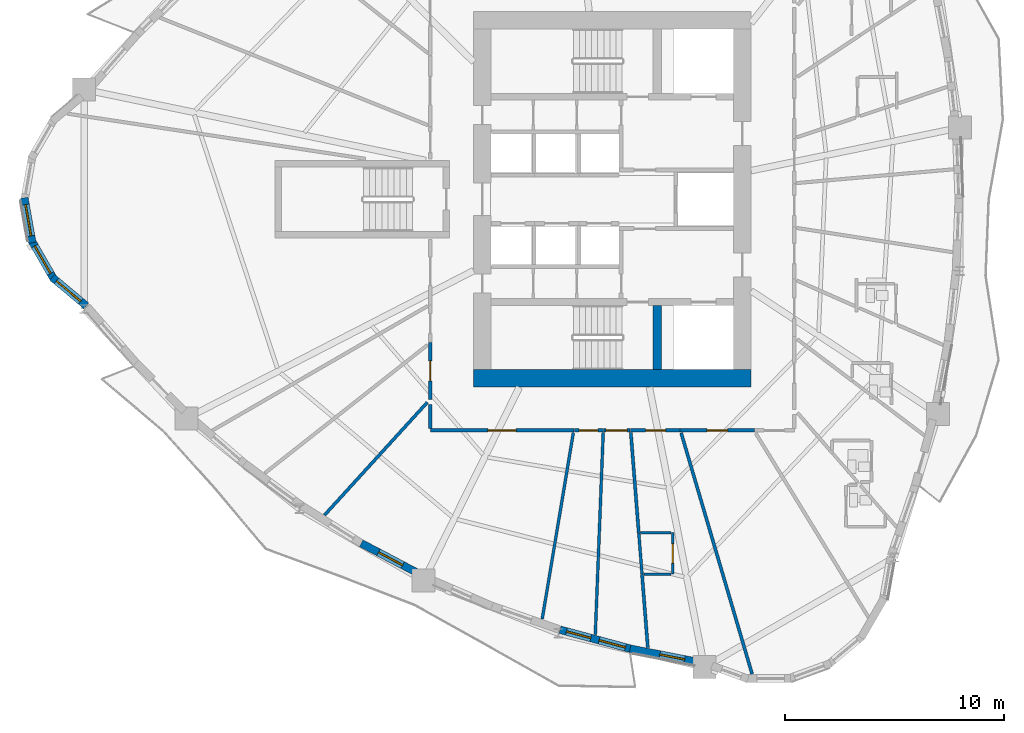
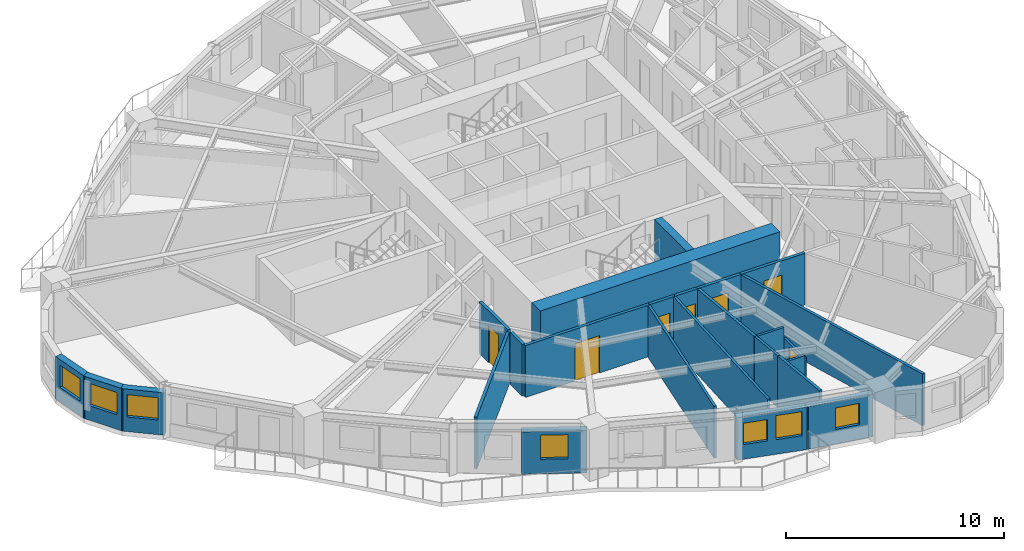
# One storey, part 3 of 13: 25 walls, 7 doors, 7 windows, 14 openings.
"""IFC4 building model written with IfcOpenShell, lengths in metres."""

from ifc_helpers import new_model, si_unit, direction, frame, frame_2d, origin, place, context, subcontext, project, spatial, rectangle, extrude, source, transform, mapped, material, layer, layer_set, type_object, element, fill, save


model = new_model("IFC4")

# Units and contexts
model_context = context("Model", 3, precision=1e-05, world=origin(), true_north=direction((0.0, 1.0)))
body_context = subcontext(model_context, "Body", "Model", "MODEL_VIEW")
ifc_project = project(units=[si_unit("LENGTHUNIT", "METRE"), si_unit("AREAUNIT", "SQUARE_METRE"), si_unit("VOLUMEUNIT", "CUBIC_METRE"), si_unit("PLANEANGLEUNIT", "RADIAN"), si_unit("MASSUNIT", "GRAM", prefix="KILO")], contexts=[model_context])

# Site, building, storey
site_placement = place(None, origin())
site = spatial("IfcSite", under=ifc_project, at=site_placement, CompositionType="ELEMENT")
building_placement = place(site_placement, origin())
building = spatial("IfcBuilding", under=site, at=building_placement, Name="Qafzar Sky-Pleat Residences", CompositionType="ELEMENT")
storey_placement = place(building_placement, frame((0.0, 0.0, 62.199951171875)))
storey = spatial("IfcBuildingStorey", under=building, at=storey_placement, Name="L18", CompositionType="ELEMENT", Elevation=62.199951171875)

# Wall, opening, door
ifc_material_1 = material(Name="Acoustic gypsum plasterboard partition", Category="gypsum")
ifc_layer_1 = layer(ifc_material_1, 0.159912109375)
ifc_layer_set_1 = layer_set([ifc_layer_1], Name="Acoustic gypsum plasterboard partition")
wall_type_1 = type_object("IfcWallType", Name="PART-COR-160", PredefinedType="PARTITIONING", material=ifc_layer_set_1)
wall_1_placement = place(storey_placement, frame((28.595947265625, 15.419921875, 0.0), z_axis=(0.0, 0.0, 1.0), x_axis=(-1.0, 0.0, 0.0)))
wall_1 = element("IfcWall", 1, at=wall_1_placement, inside=storey, type_object=wall_type_1, Name="L18 Partition Wall PART-L18-PW-001", PredefinedType="PARTITIONING", context=body_context, shape_type="SweptSolid", body=[
    extrude(rectangle(XDim=6.575927734375, YDim=0.159912109375, at=frame_2d((3.2880859375, 0.0))), origin(), (0.0, 0.0, 1.0), 2.900146484375),
])
opening_1_placement = place(wall_1_placement, frame((2.6455078125, 0.0, 0.0)))
opening_1 = element("IfcOpeningElement", 2, at=opening_1_placement, cuts=wall_1, Name="Opening ID-05", PredefinedType="OPENING", context=body_context, shape_type="SweptSolid", body=[
    extrude(rectangle(XDim=1.300048828125, YDim=2.10009765625, at=frame_2d((0.64990234375, 1.050048828125))), frame((0.0, 0.08984375, 0.0), z_axis=(0.0, -1.0, 0.0), x_axis=(1.0, 0.0, 0.0)), (0.0, 0.0, 1.0), 0.179931640625),
])
ifc_material_2 = material(Name="Timber-faced fire door", Category="wood")
door_type_1 = type_object("IfcDoorType", Name="DR-LNG-1300", OperationType="DOUBLE_DOOR_SINGLE_SWING", PredefinedType="DOOR", material=ifc_material_2)
shared_shape_1 = source(origin(), body_context, "Body", "SweptSolid", [
    extrude(rectangle(XDim=1.300048828125, YDim=2.10009765625, at=frame_2d((0.64990234375, 1.050048828125))), frame((0.0, 0.02490234375, 0.0), z_axis=(0.0, -1.0, 0.0), x_axis=(1.0, 0.0, 0.0)), (0.0, 0.0, 1.0), 0.050048828125),
])
door_1_placement = place(opening_1_placement, origin())
door_1 = element("IfcDoor", 3, at=door_1_placement, inside=storey, type_object=door_type_1, Name="L18 Tutorial Huddle Room Door", OperationType="DOUBLE_DOOR_SINGLE_SWING", OverallHeight=2.10009765625, OverallWidth=1.300048828125, PredefinedType="DOOR", context=body_context, shape_type="MappedRepresentation", body=[
    mapped(shared_shape_1, transform((0.0, 0.0, 0.0), x_axis=(1.0, 0.0, 0.0), y_axis=(0.0, 1.0, 0.0), z_axis=(0.0, 0.0, 1.0), scale=1.0)),
])
fill(opening_1, door_1)

wall_2_placement = place(storey_placement, frame((36.84912109375, 15.419921875, 0.0), z_axis=(0.0, 0.0, 1.0), x_axis=(-1.0, 0.0, 0.0)))
wall_2 = element("IfcWall", 4, at=wall_2_placement, inside=storey, type_object=wall_type_1, Name="L18 Partition Wall PART-L18-PW-007", PredefinedType="PARTITIONING", context=body_context, shape_type="SweptSolid", body=[
    extrude(rectangle(XDim=3.401123046875, YDim=0.159912109375, at=frame_2d((1.70068359375, 0.0))), origin(), (0.0, 0.0, 1.0), 2.900146484375),
])
opening_2_placement = place(wall_2_placement, frame((1.220947265625, 0.0, 0.0)))
opening_2 = element("IfcOpeningElement", 5, at=opening_2_placement, cuts=wall_2, Name="Opening ID-06", PredefinedType="OPENING", context=body_context, shape_type="SweptSolid", body=[
    extrude(rectangle(XDim=0.9599609375, YDim=2.10009765625, at=frame_2d((0.47998046875, 1.050048828125))), frame((0.0, 0.08984375, 0.0), z_axis=(0.0, -1.0, 0.0), x_axis=(1.0, 0.0, 0.0)), (0.0, 0.0, 1.0), 0.179931640625),
])
door_type_2 = type_object("IfcDoorType", Name="DR-STD-960", OperationType="NOTDEFINED", PredefinedType="DOOR", material=ifc_material_2)
shared_shape_2 = source(origin(), body_context, "Body", "SweptSolid", [
    extrude(rectangle(XDim=0.9599609375, YDim=2.10009765625, at=frame_2d((0.47998046875, 1.050048828125))), frame((0.0, 0.02490234375, 0.0), z_axis=(0.0, -1.0, 0.0), x_axis=(1.0, 0.0, 0.0)), (0.0, 0.0, 1.0), 0.050048828125),
])
door_2_placement = place(opening_2_placement, origin())
door_2 = element("IfcDoor", 6, at=door_2_placement, inside=storey, type_object=door_type_2, Name="L18 Reading Library Door", OperationType="SINGLE_SWING_LEFT", OverallHeight=2.10009765625, OverallWidth=0.9599609375, PredefinedType="DOOR", context=body_context, shape_type="MappedRepresentation", body=[
    mapped(shared_shape_2, transform((0.0, 0.0, 0.0), x_axis=(1.0, 0.0, 0.0), y_axis=(0.0, 1.0, 0.0), z_axis=(0.0, 0.0, 1.0), scale=1.0)),
])
fill(opening_2, door_2)

wall_3_placement = place(storey_placement, frame((22.02001953125, 16.837890625, 0.0), z_axis=(0.0, 0.0, 1.0), x_axis=(0.0, 1.0, 0.0)))
wall_3 = element("IfcWall", 7, at=wall_3_placement, inside=storey, type_object=wall_type_1, Name="L18 Partition Wall PART-L18-PW-014", PredefinedType="PARTITIONING", context=body_context, shape_type="SweptSolid", body=[
    extrude(rectangle(XDim=2.6181640625, YDim=0.159912109375, at=frame_2d((1.30908203125, 0.0))), origin(), (0.0, 0.0, 1.0), 2.900146484375),
])
opening_3_placement = place(wall_3_placement, frame((0.85009765625, 0.0, 0.0)))
opening_3 = element("IfcOpeningElement", 8, at=opening_3_placement, cuts=wall_3, Name="Opening ID-04", PredefinedType="OPENING", context=body_context, shape_type="SweptSolid", body=[
    extrude(rectangle(XDim=0.919921875, YDim=2.10009765625, at=frame_2d((0.4599609375, 1.050048828125))), frame((0.0, 0.08984375, 0.0), z_axis=(0.0, -1.0, 0.0), x_axis=(1.0, 0.0, 0.0)), (0.0, 0.0, 1.0), 0.179931640625),
])
door_type_3 = type_object("IfcDoorType", Name="DR-BED-920", OperationType="NOTDEFINED", PredefinedType="DOOR", material=ifc_material_2)
shared_shape_3 = source(origin(), body_context, "Body", "SweptSolid", [
    extrude(rectangle(XDim=0.919921875, YDim=2.10009765625, at=frame_2d((0.4599609375, 1.050048828125))), frame((0.0, 0.02490234375, 0.0), z_axis=(0.0, -1.0, 0.0), x_axis=(1.0, 0.0, 0.0)), (0.0, 0.0, 1.0), 0.050048828125),
])
door_3_placement = place(opening_3_placement, origin())
door_3 = element("IfcDoor", 9, at=door_3_placement, inside=storey, type_object=door_type_3, Name="L18 Co-Living Bedroom 11 Door", OperationType="SINGLE_SWING_RIGHT", OverallHeight=2.10009765625, OverallWidth=0.919921875, PredefinedType="DOOR", context=body_context, shape_type="MappedRepresentation", body=[
    mapped(shared_shape_3, transform((0.0, 0.0, 0.0), x_axis=(1.0, 0.0, 0.0), y_axis=(0.0, 1.0, 0.0), z_axis=(0.0, 0.0, 1.0), scale=1.0)),
])
fill(opening_3, door_3)

wall_4_placement = place(storey_placement, frame((33.43310546875, 15.419921875, 0.0), z_axis=(0.0, 0.0, 1.0), x_axis=(-1.0, 0.0, 0.0)))
wall_4 = element("IfcWall", 10, at=wall_4_placement, inside=storey, type_object=wall_type_1, Name="L18 Partition Wall PART-L18-PW-016", PredefinedType="PARTITIONING", context=body_context, shape_type="SweptSolid", body=[
    extrude(rectangle(XDim=2.26220703125, YDim=0.159912109375, at=frame_2d((1.131103515625, 0.0))), origin(), (0.0, 0.0, 1.0), 2.900146484375),
])
opening_4_placement = place(wall_4_placement, frame((0.64794921875, 0.0, 0.0)))
opening_4 = element("IfcOpeningElement", 11, at=opening_4_placement, cuts=wall_4, Name="Opening ID-04", PredefinedType="OPENING", context=body_context, shape_type="SweptSolid", body=[
    extrude(rectangle(XDim=0.919921875, YDim=2.10009765625, at=frame_2d((0.4599609375, 1.050048828125))), frame((0.0, 0.08984375, 0.0), z_axis=(0.0, -1.0, 0.0), x_axis=(1.0, 0.0, 0.0)), (0.0, 0.0, 1.0), 0.179931640625),
])
door_4_placement = place(opening_4_placement, origin())
door_4 = element("IfcDoor", 12, at=door_4_placement, inside=storey, type_object=door_type_3, Name="L18 Co-Living Bedroom 12 Door", OperationType="SINGLE_SWING_RIGHT", OverallHeight=2.10009765625, OverallWidth=0.919921875, PredefinedType="DOOR", context=body_context, shape_type="MappedRepresentation", body=[
    mapped(shared_shape_3, transform((0.0, 0.0, 0.0), x_axis=(1.0, 0.0, 0.0), y_axis=(0.0, 1.0, 0.0), z_axis=(0.0, 0.0, 1.0), scale=1.0)),
])
fill(opening_4, door_4)

wall_5_placement = place(storey_placement, frame((29.948974609375, 15.419921875, 0.0), z_axis=(0.0, 0.0, 1.0), x_axis=(-1.0, 0.0, 0.0)))
wall_5 = element("IfcWall", 13, at=wall_5_placement, inside=storey, type_object=wall_type_1, Name="L18 Partition Wall PART-L18-PW-030", PredefinedType="PARTITIONING", context=body_context, shape_type="SweptSolid", body=[
    extrude(rectangle(XDim=1.337890625, YDim=0.159912109375, at=frame_2d((0.6689453125, 0.0))), origin(), (0.0, 0.0, 1.0), 2.900146484375),
])
opening_5_placement = place(wall_5_placement, frame((0.261474609375, 0.0, 0.0)))
opening_5 = element("IfcOpeningElement", 14, at=opening_5_placement, cuts=wall_5, Name="Opening ID-09", PredefinedType="OPENING", context=body_context, shape_type="SweptSolid", body=[
    extrude(rectangle(XDim=0.860107421875, YDim=2.050048828125, at=frame_2d((0.43017578125, 1.02490234375))), frame((0.0, 0.08984375, 0.0), z_axis=(0.0, -1.0, 0.0), x_axis=(1.0, 0.0, 0.0)), (0.0, 0.0, 1.0), 0.179931640625),
])
door_type_4 = type_object("IfcDoorType", Name="DR-SVC-860", OperationType="NOTDEFINED", PredefinedType="DOOR", material=ifc_material_2)
shared_shape_4 = source(origin(), body_context, "Body", "SweptSolid", [
    extrude(rectangle(XDim=0.860107421875, YDim=2.050048828125, at=frame_2d((0.43017578125, 1.02490234375))), frame((0.0, 0.02490234375, 0.0), z_axis=(0.0, -1.0, 0.0), x_axis=(1.0, 0.0, 0.0)), (0.0, 0.0, 1.0), 0.050048828125),
])
door_5_placement = place(opening_5_placement, origin())
door_5 = element("IfcDoor", 15, at=door_5_placement, inside=storey, type_object=door_type_4, Name="L18 Accessible Shared Washroom Door", OperationType="SINGLE_SWING_RIGHT", OverallHeight=2.050048828125, OverallWidth=0.860107421875, PredefinedType="DOOR", context=body_context, shape_type="MappedRepresentation", body=[
    mapped(shared_shape_4, transform((0.0, 0.0, 0.0), x_axis=(1.0, 0.0, 0.0), y_axis=(0.0, 1.0, 0.0), z_axis=(0.0, 0.0, 1.0), scale=1.0)),
])
fill(opening_5, door_5)

wall_6_placement = place(storey_placement, frame((31.156005859375, 15.419921875, 0.0), z_axis=(0.0, 0.0, 1.0), x_axis=(-1.0, 0.0, 0.0)))
wall_6 = element("IfcWall", 16, at=wall_6_placement, inside=storey, type_object=wall_type_1, Name="L18 Partition Wall PART-L18-PW-031", PredefinedType="PARTITIONING", context=body_context, shape_type="SweptSolid", body=[
    extrude(rectangle(XDim=1.19189453125, YDim=0.159912109375, at=frame_2d((0.595947265625, 0.0))), origin(), (0.0, 0.0, 1.0), 2.900146484375),
])
opening_6_placement = place(wall_6_placement, frame((0.127685546875, 0.0, 0.0)))
opening_6 = element("IfcOpeningElement", 17, at=opening_6_placement, cuts=wall_6, Name="Opening ID-06", PredefinedType="OPENING", context=body_context, shape_type="SweptSolid", body=[
    extrude(rectangle(XDim=0.9599609375, YDim=2.10009765625, at=frame_2d((0.47998046875, 1.050048828125))), frame((0.0, 0.08984375, 0.0), z_axis=(0.0, -1.0, 0.0), x_axis=(1.0, 0.0, 0.0)), (0.0, 0.0, 1.0), 0.179931640625),
])
door_6_placement = place(opening_6_placement, origin())
door_6 = element("IfcDoor", 18, at=door_6_placement, inside=storey, type_object=door_type_2, Name="L18 Scholar Study Room Door", OperationType="SINGLE_SWING_LEFT", OverallHeight=2.10009765625, OverallWidth=0.9599609375, PredefinedType="DOOR", context=body_context, shape_type="MappedRepresentation", body=[
    mapped(shared_shape_2, transform((0.0, 0.0, 0.0), x_axis=(1.0, 0.0, 0.0), y_axis=(0.0, 1.0, 0.0), z_axis=(0.0, 0.0, 1.0), scale=1.0)),
])
fill(opening_6, door_6)

# Walls
wall_7_placement = place(storey_placement, frame((22.02001953125, 15.508056640625, 0.0), z_axis=(0.0, 0.0, 1.0), x_axis=(0.0, 1.0, 0.0)))
element("IfcWall", 19, at=wall_7_placement, inside=storey, type_object=wall_type_1, Name="L18 Partition Wall PART-L18-PW-079", PredefinedType="PARTITIONING", context=body_context, shape_type="SweptSolid", body=[
    extrude(rectangle(XDim=1.111572265625, YDim=0.159912109375, at=frame_2d((0.5556640625, 0.0))), origin(), (0.0, 0.0, 1.0), 2.900146484375),
])
ifc_layer_2 = layer(ifc_material_1, 0.14501953125)
ifc_layer_set_2 = layer_set([ifc_layer_2], Name="Acoustic gypsum plasterboard partition")
wall_type_2 = type_object("IfcWallType", Name="PART-UNIT-145", PredefinedType="PARTITIONING", material=ifc_layer_set_2)
wall_8_placement = place(storey_placement, frame((33.495849609375, 15.31201171875, 0.0), z_axis=(0.0, 0.0, 1.0), x_axis=(0.282353610079, -0.959310397564, 0.0)))
element("IfcWall", 20, at=wall_8_placement, inside=storey, type_object=wall_type_2, Name="L18 Partition Wall PART-L18-PW-035", PredefinedType="PARTITIONING", context=body_context, shape_type="SweptSolid", body=[
    extrude(rectangle(XDim=11.50341796875, YDim=0.14501953125, at=frame_2d((5.751708984375, 0.0))), origin(), (0.0, 0.0, 1.0), 2.900146484375),
])
wall_9_placement = place(storey_placement, frame((17.179931640625, 11.550048828125, 0.0), z_axis=(0.0, 0.0, 1.0), x_axis=(0.673657773225, 0.739043438895, 0.0)))
element("IfcWall", 21, at=wall_9_placement, inside=storey, type_object=wall_type_2, Name="L18 Partition Wall PART-L18-PW-047", PredefinedType="PARTITIONING", context=body_context, shape_type="SweptSolid", body=[
    extrude(rectangle(XDim=6.978515625, YDim=0.14501953125, at=frame_2d((3.4892578125, 0.0))), origin(), (0.0, 0.0, 1.0), 2.900146484375),
])
wall_10_placement = place(storey_placement, frame((31.193359375, 15.326416015625, 0.0), z_axis=(0.0, 0.0, 1.0), x_axis=(0.078835771191, -0.996887617127, 0.0)))
element("IfcWall", 22, at=wall_10_placement, inside=storey, type_object=wall_type_2, Name="L18 Partition Wall PART-L18-PW-049", PredefinedType="PARTITIONING", context=body_context, shape_type="SweptSolid", body=[
    extrude(rectangle(XDim=4.598876953125, YDim=0.14501953125, at=frame_2d((2.29931640625, 0.0))), origin(), (0.0, 0.0, 1.0), 2.900146484375),
])
wall_11_placement = place(storey_placement, frame((31.7060546875, 8.842041015625, 0.0), z_axis=(0.0, 0.0, 1.0), x_axis=(0.078861571463, -0.996885576456, 0.0)))
element("IfcWall", 23, at=wall_11_placement, inside=storey, type_object=wall_type_2, Name="L18 Partition Wall PART-L18-PW-051", PredefinedType="PARTITIONING", context=body_context, shape_type="SweptSolid", body=[
    extrude(rectangle(XDim=3.371337890625, YDim=0.14501953125, at=frame_2d((1.685546875, 0.0))), origin(), (0.0, 0.0, 1.0), 2.900146484375),
])

# Wall, opening, door
ifc_material_3 = material(Name="Moisture-resistant gypsum partition", Category="gypsum")
ifc_layer_3 = layer(ifc_material_3, 0.1298828125)
ifc_layer_set_3 = layer_set([ifc_layer_3], Name="Moisture-resistant gypsum partition")
wall_type_3 = type_object("IfcWallType", Name="PART-WET-130", PredefinedType="PARTITIONING", material=ifc_layer_set_3)
wall_12_placement = place(storey_placement, frame((33.113037109375, 8.842041015625, 0.0), z_axis=(0.0, 0.0, 1.0), x_axis=(0.0, 1.0, 0.0)))
wall_12 = element("IfcWall", 24, at=wall_12_placement, inside=storey, type_object=wall_type_3, Name="L18 Partition Wall PART-L18-PW-021", PredefinedType="PARTITIONING", context=body_context, shape_type="SweptSolid", body=[
    extrude(rectangle(XDim=1.89990234375, YDim=0.1298828125, at=frame_2d((0.949951171875, 0.0))), origin(), (0.0, 0.0, 1.0), 2.26806640625),
])
opening_7_placement = place(wall_12_placement, frame((0.510009765625, 0.0, 0.0)))
opening_7 = element("IfcOpeningElement", 25, at=opening_7_placement, cuts=wall_12, Name="Opening ID-07", PredefinedType="OPENING", context=body_context, shape_type="SweptSolid", body=[
    extrude(rectangle(XDim=0.8798828125, YDim=2.050048828125, at=frame_2d((0.43994140625, 1.02490234375))), frame((0.0, 0.074951171875, 0.0), z_axis=(0.0, -1.0, 0.0), x_axis=(1.0, 0.0, 0.0)), (0.0, 0.0, 1.0), 0.14990234375),
])
door_type_5 = type_object("IfcDoorType", Name="DR-WET-880", OperationType="NOTDEFINED", PredefinedType="DOOR", material=ifc_material_2)
shared_shape_5 = source(origin(), body_context, "Body", "SweptSolid", [
    extrude(rectangle(XDim=0.8798828125, YDim=2.050048828125, at=frame_2d((0.43994140625, 1.02490234375))), frame((0.0, 0.02490234375, 0.0), z_axis=(0.0, -1.0, 0.0), x_axis=(1.0, 0.0, 0.0)), (0.0, 0.0, 1.0), 0.050048828125),
])
door_7_placement = place(opening_7_placement, origin())
door_7 = element("IfcDoor", 26, at=door_7_placement, inside=storey, type_object=door_type_5, Name="L18 En-suite Bathroom 12 Door", OperationType="SINGLE_SWING_LEFT", OverallHeight=2.050048828125, OverallWidth=0.8798828125, PredefinedType="DOOR", context=body_context, shape_type="MappedRepresentation", body=[
    mapped(shared_shape_5, transform((0.0, 0.0, 0.0), x_axis=(1.0, 0.0, 0.0), y_axis=(0.0, 1.0, 0.0), z_axis=(0.0, 0.0, 1.0), scale=1.0)),
])
fill(opening_7, door_7)

# Walls
wall_13_placement = place(storey_placement, frame((29.5673828125, 6.072021484375, 0.0), z_axis=(0.0, 0.0, 1.0), x_axis=(0.039185050788, 0.999231970963, 0.0)))
element("IfcWall", 27, at=wall_13_placement, inside=storey, type_object=wall_type_3, Name="L18 Partition Wall PART-L18-PW-041", PredefinedType="PARTITIONING", context=body_context, shape_type="SweptSolid", body=[
    extrude(rectangle(XDim=9.2646484375, YDim=0.1298828125, at=frame_2d((4.63232421875, 0.0))), origin(), (0.0, 0.0, 1.0), 2.900146484375),
])
wall_14_placement = place(storey_placement, frame((27.138916015625, 6.7919921875, 0.0), z_axis=(0.0, 0.0, 1.0), x_axis=(0.164847632872, 0.986319044699, 0.0)))
element("IfcWall", 28, at=wall_14_placement, inside=storey, type_object=wall_type_3, Name="L18 Partition Wall PART-L18-PW-042", PredefinedType="PARTITIONING", context=body_context, shape_type="SweptSolid", body=[
    extrude(rectangle(XDim=8.647705078125, YDim=0.1298828125, at=frame_2d((4.32373046875, 0.0))), origin(), (0.0, 0.0, 1.0), 2.900146484375),
])
wall_15_placement = place(storey_placement, frame((31.55712890625, 10.72705078125, 0.0), z_axis=(0.0, 0.0, 1.0), x_axis=(0.078736521399, -0.996895461018, 0.0)))
element("IfcWall", 29, at=wall_15_placement, inside=storey, type_object=wall_type_3, Name="L18 Partition Wall PART-L18-PW-062", PredefinedType="PARTITIONING", context=body_context, shape_type="SweptSolid", body=[
    extrude(rectangle(XDim=1.8759765625, YDim=0.1298828125, at=frame_2d((0.93798828125, 0.0))), origin(), (0.0, 0.0, 1.0), 2.900146484375),
])
wall_16_placement = place(storey_placement, frame((31.641845703125, 10.741943359375, 0.0), z_axis=(0.0, 0.0, 1.0), x_axis=(1.0, 0.0, 0.0)))
element("IfcWall", 30, at=wall_16_placement, inside=storey, type_object=wall_type_3, Name="L18 Partition Wall PART-L18-PW-077", PredefinedType="PARTITIONING", context=body_context, shape_type="SweptSolid", body=[
    extrude(rectangle(XDim=1.398193359375, YDim=0.1298828125, at=frame_2d((0.69921875, 0.0))), origin(), (0.0, 0.0, 1.0), 2.900146484375),
])
wall_17_placement = place(storey_placement, frame((31.7919921875, 8.842041015625, 0.0), z_axis=(0.0, 0.0, 1.0), x_axis=(1.0, 0.0, 0.0)))
element("IfcWall", 31, at=wall_17_placement, inside=storey, type_object=wall_type_3, Name="L18 Partition Wall PART-L18-PW-078", PredefinedType="PARTITIONING", context=body_context, shape_type="SweptSolid", body=[
    extrude(rectangle(XDim=1.248046875, YDim=0.1298828125, at=frame_2d((0.6240234375, 0.0))), origin(), (0.0, 0.0, 1.0), 2.468017578125),
])

# Wall, opening, window
ifc_material_4 = material(Name="Precast concrete C40/50 with honed Riyadh limestone", Category="concrete")
ifc_layer_4 = layer(ifc_material_4, 0.35009765625)
ifc_layer_set_4 = layer_set([ifc_layer_4], Name="Precast concrete C40/50 with honed Riyadh limestone")
wall_type_4 = type_object("IfcWallType", Name="WALL-EXT-350", PredefinedType="SOLIDWALL", material=ifc_layer_set_4)
wall_18_placement = place(storey_placement, frame((3.440673828125, 26.06787109375, 0.0), z_axis=(0.0, 0.0, 1.0), x_axis=(0.173672066494, -0.984803540469, 0.0)))
wall_18 = element("IfcWall", 32, at=wall_18_placement, inside=storey, type_object=wall_type_4, Name="L18 Limestone Facade Wall 4", PredefinedType="SOLIDWALL", context=body_context, shape_type="SweptSolid", body=[
    extrude(rectangle(XDim=2.09033203125, YDim=0.35009765625, at=frame_2d((1.045166015625, 0.0))), origin(), (0.0, 0.0, 1.0), 2.380126953125),
])
opening_8_placement = place(wall_18_placement, frame((0.3203125, 0.0, 0.820068359375)))
opening_8 = element("IfcOpeningElement", 33, at=opening_8_placement, cuts=wall_18, Name="Opening WN-15", PredefinedType="OPENING", context=body_context, shape_type="SweptSolid", body=[
    extrude(rectangle(XDim=1.449951171875, YDim=1.25, at=frame_2d((0.72509765625, 0.625))), frame((0.0, 0.18505859375, 0.0), z_axis=(0.0, -1.0, 0.0), x_axis=(1.0, 0.0, 0.0)), (0.0, 0.0, 1.0), 0.3701171875),
])
ifc_material_5 = material(Name="Solar-control low-E glass in bronze aluminium frame", Category="glass")
window_type_1 = type_object("IfcWindowType", Name="WIN-15", PartitioningType="SINGLE_PANEL", PredefinedType="WINDOW", material=ifc_material_5)
shared_shape_6 = source(origin(), body_context, "Body", "SweptSolid", [
    extrude(rectangle(XDim=1.449951171875, YDim=1.25, at=frame_2d((0.72509765625, 0.625))), frame((0.0, 0.030029296875, 0.0), z_axis=(0.0, -1.0, 0.0), x_axis=(1.0, 0.0, 0.0)), (0.0, 0.0, 1.0), 0.06005859375),
])
window_1_placement = place(opening_8_placement, origin())
window_1 = element("IfcWindow", 34, at=window_1_placement, inside=storey, type_object=window_type_1, Name="L18 Punched Facade Window 04", OverallHeight=1.25, OverallWidth=1.449951171875, PartitioningType="SINGLE_PANEL", PredefinedType="WINDOW", context=body_context, shape_type="MappedRepresentation", body=[
    mapped(shared_shape_6, transform((0.0, 0.0, 0.0), x_axis=(1.0, 0.0, 0.0), y_axis=(0.0, 1.0, 0.0), z_axis=(0.0, 0.0, 1.0), scale=1.0)),
])
fill(opening_8, window_1)

wall_19_placement = place(storey_placement, frame((3.75732421875, 24.13671875, 0.0), z_axis=(0.0, 0.0, 1.0), x_axis=(0.499995423472, -0.866028046028, 0.0)))
wall_19 = element("IfcWall", 35, at=wall_19_placement, inside=storey, type_object=wall_type_4, Name="L18 Limestone Facade Wall 5", PredefinedType="SOLIDWALL", context=body_context, shape_type="SweptSolid", body=[
    extrude(rectangle(XDim=2.09033203125, YDim=0.35009765625, at=frame_2d((1.045166015625, 0.0))), origin(), (0.0, 0.0, 1.0), 2.380126953125),
])
opening_9_placement = place(wall_19_placement, frame((0.3203125, 0.0, 0.820068359375)))
opening_9 = element("IfcOpeningElement", 36, at=opening_9_placement, cuts=wall_19, Name="Opening WN-15", PredefinedType="OPENING", context=body_context, shape_type="SweptSolid", body=[
    extrude(rectangle(XDim=1.449951171875, YDim=1.25, at=frame_2d((0.72509765625, 0.625))), frame((0.0, 0.18505859375, 0.0), z_axis=(0.0, -1.0, 0.0), x_axis=(1.0, 0.0, 0.0)), (0.0, 0.0, 1.0), 0.3701171875),
])
window_2_placement = place(opening_9_placement, origin())
window_2 = element("IfcWindow", 37, at=window_2_placement, inside=storey, type_object=window_type_1, Name="L18 Punched Facade Window 05", OverallHeight=1.25, OverallWidth=1.449951171875, PartitioningType="SINGLE_PANEL", PredefinedType="WINDOW", context=body_context, shape_type="MappedRepresentation", body=[
    mapped(shared_shape_6, transform((0.0, 0.0, 0.0), x_axis=(1.0, 0.0, 0.0), y_axis=(0.0, 1.0, 0.0), z_axis=(0.0, 0.0, 1.0), scale=1.0)),
])
fill(opening_9, window_2)

wall_20_placement = place(storey_placement, frame((4.71533203125, 22.430419921875, 0.0), z_axis=(0.0, 0.0, 1.0), x_axis=(0.766040796373, -0.642791955684, 0.0)))
wall_20 = element("IfcWall", 38, at=wall_20_placement, inside=storey, type_object=wall_type_4, Name="L18 Limestone Facade Wall 6", PredefinedType="SOLIDWALL", context=body_context, shape_type="SweptSolid", body=[
    extrude(rectangle(XDim=2.032470703125, YDim=0.35009765625, at=frame_2d((1.01611328125, 0.0))), origin(), (0.0, 0.0, 1.0), 2.380126953125),
])
opening_10_placement = place(wall_20_placement, frame((0.26123046875, 0.0, 0.820068359375)))
opening_10 = element("IfcOpeningElement", 39, at=opening_10_placement, cuts=wall_20, Name="Opening WN-15", PredefinedType="OPENING", context=body_context, shape_type="SweptSolid", body=[
    extrude(rectangle(XDim=1.449951171875, YDim=1.25, at=frame_2d((0.72509765625, 0.625))), frame((0.0, 0.18505859375, 0.0), z_axis=(0.0, -1.0, 0.0), x_axis=(1.0, 0.0, 0.0)), (0.0, 0.0, 1.0), 0.3701171875),
])
window_3_placement = place(opening_10_placement, origin())
window_3 = element("IfcWindow", 40, at=window_3_placement, inside=storey, type_object=window_type_1, Name="L18 Punched Facade Window 06", OverallHeight=1.25, OverallWidth=1.449951171875, PartitioningType="SINGLE_PANEL", PredefinedType="WINDOW", context=body_context, shape_type="MappedRepresentation", body=[
    mapped(shared_shape_6, transform((0.0, 0.0, 0.0), x_axis=(1.0, 0.0, 0.0), y_axis=(0.0, 1.0, 0.0), z_axis=(0.0, 0.0, 1.0), scale=1.0)),
])
fill(opening_10, window_3)

wall_21_placement = place(storey_placement, frame((18.85986328125, 10.258056640625, 0.0), z_axis=(0.0, 0.0, 1.0), x_axis=(0.884375478211, -0.46677619213, 0.0)))
wall_21 = element("IfcWall", 41, at=wall_21_placement, inside=storey, type_object=wall_type_4, Name="L18 Limestone Facade Wall 12", PredefinedType="SOLIDWALL", context=body_context, shape_type="SweptSolid", body=[
    extrude(rectangle(XDim=3.0185546875, YDim=0.35009765625, at=frame_2d((1.50927734375, 0.0))), origin(), (0.0, 0.0, 1.0), 2.380126953125),
])
opening_11_placement = place(wall_21_placement, frame((0.88916015625, 0.0, 0.820068359375)))
opening_11 = element("IfcOpeningElement", 42, at=opening_11_placement, cuts=wall_21, Name="Opening WN-11", PredefinedType="OPENING", context=body_context, shape_type="SweptSolid", body=[
    extrude(rectangle(XDim=1.25, YDim=1.35009765625, at=frame_2d((0.625, 0.675048828125))), frame((0.0, 0.18505859375, 0.0), z_axis=(0.0, -1.0, 0.0), x_axis=(1.0, 0.0, 0.0)), (0.0, 0.0, 1.0), 0.3701171875),
])
window_type_2 = type_object("IfcWindowType", Name="WIN-11", PartitioningType="SINGLE_PANEL", PredefinedType="WINDOW", material=ifc_material_5)
shared_shape_7 = source(origin(), body_context, "Body", "SweptSolid", [
    extrude(rectangle(XDim=1.25, YDim=1.35009765625, at=frame_2d((0.625, 0.675048828125))), frame((0.0, 0.030029296875, 0.0), z_axis=(0.0, -1.0, 0.0), x_axis=(1.0, 0.0, 0.0)), (0.0, 0.0, 1.0), 0.06005859375),
])
window_4_placement = place(opening_11_placement, origin())
window_4 = element("IfcWindow", 43, at=window_4_placement, inside=storey, type_object=window_type_2, Name="L18 Punched Facade Window 12", OverallHeight=1.35009765625, OverallWidth=1.25, PartitioningType="SINGLE_PANEL", PredefinedType="WINDOW", context=body_context, shape_type="MappedRepresentation", body=[
    mapped(shared_shape_7, transform((0.0, 0.0, 0.0), x_axis=(1.0, 0.0, 0.0), y_axis=(0.0, 1.0, 0.0), z_axis=(0.0, 0.0, 1.0), scale=1.0)),
])
fill(opening_11, window_4)

# Wall, openings, windows
wall_22_placement = place(storey_placement, frame((27.953369140625, 6.30322265625, 0.0), z_axis=(0.0, 0.0, 1.0), x_axis=(0.965464207527, -0.260535724968, 0.0)))
wall_22 = element("IfcWall", 44, at=wall_22_placement, inside=storey, type_object=wall_type_4, Name="L18 Limestone Facade Wall 15", PredefinedType="SOLIDWALL", context=body_context, shape_type="SweptSolid", body=[
    extrude(rectangle(XDim=3.409912109375, YDim=0.35009765625, at=frame_2d((1.705078125, 0.0))), origin(), (0.0, 0.0, 1.0), 2.380126953125),
])
opening_12_placement = place(wall_22_placement, frame((0.3076171875, 0.0, 0.820068359375)))
opening_12 = element("IfcOpeningElement", 45, at=opening_12_placement, cuts=wall_22, Name="Opening WN-16", PredefinedType="OPENING", context=body_context, shape_type="SweptSolid", body=[
    extrude(rectangle(XDim=1.14990234375, YDim=1.199951171875, at=frame_2d((0.574951171875, 0.60009765625))), frame((0.0, 0.18505859375, 0.0), z_axis=(0.0, -1.0, 0.0), x_axis=(1.0, 0.0, 0.0)), (0.0, 0.0, 1.0), 0.3701171875),
])
opening_13_placement = place(wall_22_placement, frame((1.852783203125, 0.0, 0.820068359375)))
opening_13 = element("IfcOpeningElement", 46, at=opening_13_placement, cuts=wall_22, Name="Opening WN-11", PredefinedType="OPENING", context=body_context, shape_type="SweptSolid", body=[
    extrude(rectangle(XDim=1.25, YDim=1.35009765625, at=frame_2d((0.625, 0.675048828125))), frame((0.0, 0.18505859375, 0.0), z_axis=(0.0, -1.0, 0.0), x_axis=(1.0, 0.0, 0.0)), (0.0, 0.0, 1.0), 0.3701171875),
])
window_5_placement = place(opening_13_placement, origin())
window_5 = element("IfcWindow", 47, at=window_5_placement, inside=storey, type_object=window_type_2, Name="L18 Punched Facade Window 15-2", OverallHeight=1.35009765625, OverallWidth=1.25, PartitioningType="SINGLE_PANEL", PredefinedType="WINDOW", context=body_context, shape_type="MappedRepresentation", body=[
    mapped(shared_shape_7, transform((0.0, 0.0, 0.0), x_axis=(1.0, 0.0, 0.0), y_axis=(0.0, 1.0, 0.0), z_axis=(0.0, 0.0, 1.0), scale=1.0)),
])
fill(opening_13, window_5)
window_type_3 = type_object("IfcWindowType", Name="WIN-16", PartitioningType="SINGLE_PANEL", PredefinedType="WINDOW", material=ifc_material_5)
shared_shape_8 = source(origin(), body_context, "Body", "SweptSolid", [
    extrude(rectangle(XDim=1.14990234375, YDim=1.199951171875, at=frame_2d((0.574951171875, 0.60009765625))), frame((0.0, 0.030029296875, 0.0), z_axis=(0.0, -1.0, 0.0), x_axis=(1.0, 0.0, 0.0)), (0.0, 0.0, 1.0), 0.06005859375),
])
window_6_placement = place(opening_12_placement, origin())
window_6 = element("IfcWindow", 48, at=window_6_placement, inside=storey, type_object=window_type_3, Name="L18 Punched Facade Window 15", OverallHeight=1.199951171875, OverallWidth=1.14990234375, PartitioningType="SINGLE_PANEL", PredefinedType="WINDOW", context=body_context, shape_type="MappedRepresentation", body=[
    mapped(shared_shape_8, transform((0.0, 0.0, 0.0), x_axis=(1.0, 0.0, 0.0), y_axis=(0.0, 1.0, 0.0), z_axis=(0.0, 0.0, 1.0), scale=1.0)),
])
fill(opening_12, window_6)

# Wall, opening, window
wall_23_placement = place(storey_placement, frame((31.15966796875, 5.4345703125, 0.0), z_axis=(0.0, 0.0, 1.0), x_axis=(0.981237747431, -0.192801667567, 0.0)))
wall_23 = element("IfcWall", 49, at=wall_23_placement, inside=storey, type_object=wall_type_4, Name="L18 Limestone Facade Wall 16", PredefinedType="SOLIDWALL", context=body_context, shape_type="SweptSolid", body=[
    extrude(rectangle(XDim=3.202392578125, YDim=0.35009765625, at=frame_2d((1.60107421875, 0.0))), origin(), (0.0, 0.0, 1.0), 2.380126953125),
])
opening_14_placement = place(wall_23_placement, frame((1.390380859375, 0.0, 0.820068359375)))
opening_14 = element("IfcOpeningElement", 50, at=opening_14_placement, cuts=wall_23, Name="Opening WN-16", PredefinedType="OPENING", context=body_context, shape_type="SweptSolid", body=[
    extrude(rectangle(XDim=1.14990234375, YDim=1.199951171875, at=frame_2d((0.574951171875, 0.60009765625))), frame((0.0, 0.18505859375, 0.0), z_axis=(0.0, -1.0, 0.0), x_axis=(1.0, 0.0, 0.0)), (0.0, 0.0, 1.0), 0.3701171875),
])
window_7_placement = place(opening_14_placement, origin())
window_7 = element("IfcWindow", 51, at=window_7_placement, inside=storey, type_object=window_type_3, Name="L18 Punched Facade Window 16-2", OverallHeight=1.199951171875, OverallWidth=1.14990234375, PartitioningType="SINGLE_PANEL", PredefinedType="WINDOW", context=body_context, shape_type="MappedRepresentation", body=[
    mapped(shared_shape_8, transform((0.0, 0.0, 0.0), x_axis=(1.0, 0.0, 0.0), y_axis=(0.0, 1.0, 0.0), z_axis=(0.0, 0.0, 1.0), scale=1.0)),
])
fill(opening_14, window_7)

# Walls
ifc_material_6 = material(Name="Concrete C60/75", Category="concrete")
ifc_layer_5 = layer(ifc_material_6, 0.39990234375)
ifc_layer_set_5 = layer_set([ifc_layer_5], Name="Concrete C60/75")
wall_type_5 = type_object("IfcWallType", Name="WALL-SHEAR-400", PredefinedType="SHEAR", material=ifc_layer_set_5)
wall_24_placement = place(storey_placement, frame((32.39990234375, 18.199951171875, 0.0), z_axis=(0.0, 0.0, 1.0), x_axis=(0.0, 1.0, 0.0)))
element("IfcWall", 52, at=wall_24_placement, inside=storey, type_object=wall_type_5, Name="L18 Stair ST1 East Dividing Wall", PredefinedType="SHEAR", context=body_context, shape_type="SweptSolid", body=[
    extrude(rectangle(XDim=2.949951171875, YDim=0.39990234375, at=frame_2d((1.47509765625, 0.0))), origin(), (0.0, 0.0, 1.0), 2.900146484375),
])
ifc_layer_6 = layer(ifc_material_6, 0.800048828125)
ifc_layer_set_6 = layer_set([ifc_layer_6], Name="Concrete C60/75")
wall_type_6 = type_object("IfcWallType", Name="WALL-SHEAR-800", PredefinedType="SHEAR", material=ifc_layer_set_6)
wall_25_placement = place(storey_placement, frame((24.0, 17.800048828125, 0.0), z_axis=(0.0, 0.0, 1.0), x_axis=(1.0, 0.0, 0.0)))
element("IfcWall", 53, at=wall_25_placement, inside=storey, type_object=wall_type_6, Name="L18 CORE wall S", PredefinedType="SHEAR", context=body_context, shape_type="SweptSolid", body=[
    extrude(rectangle(XDim=12.699951171875, YDim=0.800048828125, at=frame_2d((6.35009765625, 0.0))), origin(), (0.0, 0.0, 1.0), 2.900146484375),
])

save(model, "model.ifc")
